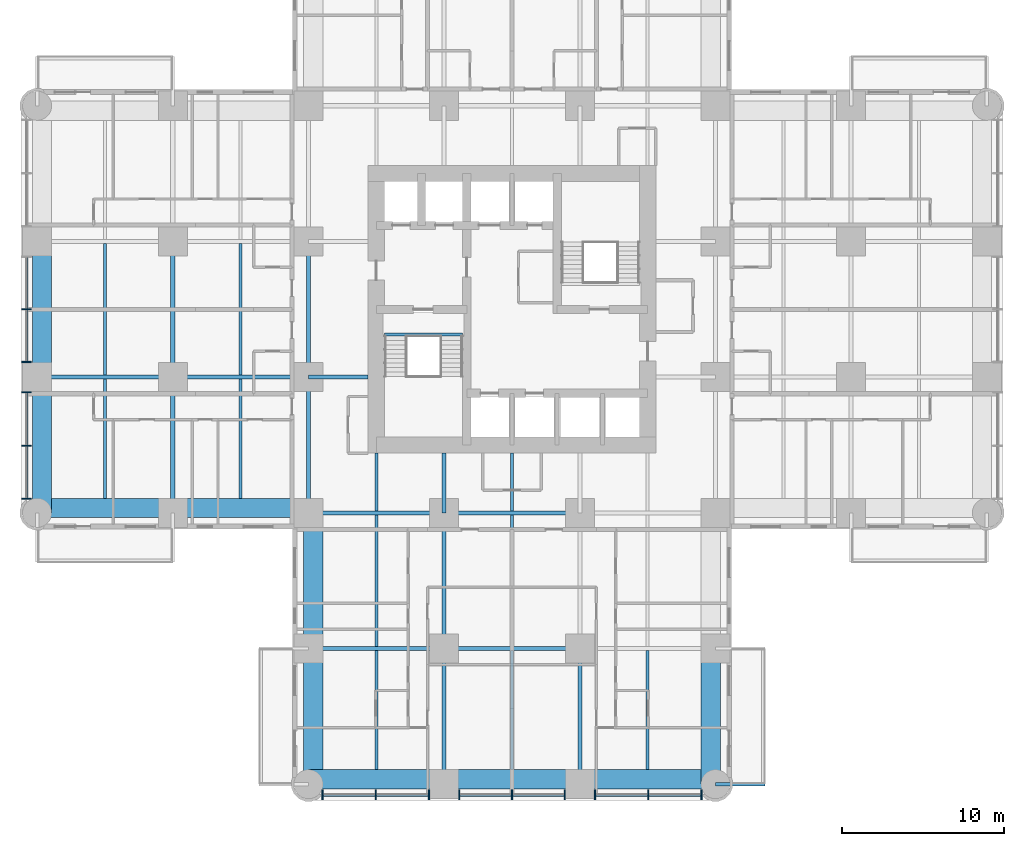
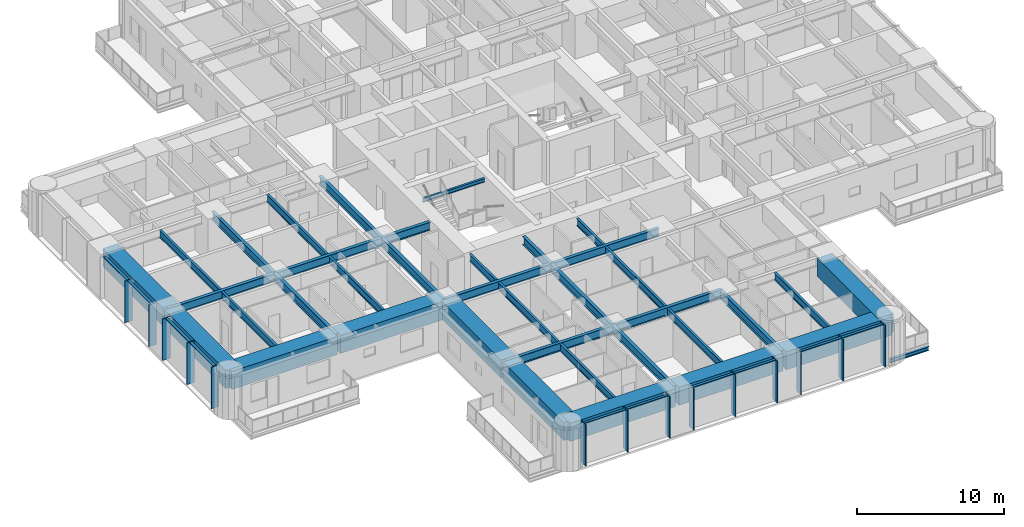
# One storey, part 2 of 17: 38 beams, 24 members, 2 elements without a shape of their own.
"""IFC4 building model written with IfcOpenShell, lengths in metres."""

from ifc_helpers import new_model, si_unit, direction, frame, origin, origin_2d, place, context, subcontext, project, spatial, rectangle, i_section, extrude, material, material_profile, profile_set, type_object, element, aggregate, save


model = new_model("IFC4")

# Units and contexts
model_context = context("Model", 3, precision=1e-05, world=origin(), true_north=direction((0.0, 1.0)))
body_context = subcontext(model_context, "Body", "Model", "MODEL_VIEW")
ifc_project = project(units=[si_unit("LENGTHUNIT", "METRE"), si_unit("AREAUNIT", "SQUARE_METRE"), si_unit("VOLUMEUNIT", "CUBIC_METRE"), si_unit("PLANEANGLEUNIT", "RADIAN"), si_unit("MASSUNIT", "GRAM", prefix="KILO")], contexts=[model_context])

# Site, building, storey
site_placement = place(None, origin())
site = spatial("IfcSite", under=ifc_project, at=site_placement, CompositionType="ELEMENT")
building_placement = place(site_placement, origin())
building = spatial("IfcBuilding", under=site, at=building_placement, Name="Torre Alcanfor", CompositionType="ELEMENT")
storey_placement = place(building_placement, frame((0.0, 0.0, 84.89990234375)))
storey = spatial("IfcBuildingStorey", under=building, at=storey_placement, Name="L21", CompositionType="ELEMENT", Elevation=84.89990234375)

# Beam
ifc_material_1 = material(Name="Steel ASTM A992 Grade 50", Category="steel")
ifc_material_profile_1 = material_profile(ifc_material_1, i_section(OverallWidth=0.205322265625, OverallDepth=0.309814453125, WebThickness=0.00927734375, FlangeThickness=0.016357421875, at=origin_2d()), Name="W12x50")
ifc_profile_set_1 = profile_set([ifc_material_profile_1], Name="Steel ASTM A992 Grade 50")
beam_type_1 = type_object("IfcBeamType", Name="Balcony cantilever beam W12x50", PredefinedType="BEAM", material=ifc_profile_set_1)
beam_1_placement = place(storey_placement, frame((42.0, 0.0, -0.354736328125), z_axis=(1.0, 0.0, 0.0), x_axis=(0.0, 1.0, 0.0)))
element("IfcBeam", 1, at=beam_1_placement, inside=storey, type_object=beam_type_1, Name="Balcony cantilever beam L21-S1 2", PredefinedType="BEAM", context=body_context, shape_type="SweptSolid", body=[
    extrude(i_section(OverallWidth=0.205322265625, OverallDepth=0.309814453125, WebThickness=0.00927734375, FlangeThickness=0.016357421875, at=origin_2d()), origin(), (0.0, 0.0, 1.0), 3.050048828125),
])

# Curtain wall, members
ifc_material_2 = material(Name="Aluminium and glass", Category="aluminium")
curtain_wall_type = type_object("IfcCurtainWallType", Name="CW-A unitised apartment glazing with vertical FIN", PredefinedType="NOTDEFINED", material=ifc_material_2)
curtain_wall_1_placement = place(storey_placement, origin())
curtain_wall_1 = element("IfcCurtainWall", 2, at=curtain_wall_1_placement, inside=storey, type_object=curtain_wall_type, Name="Curtain wall CW-A L21 2", PredefinedType="NOTDEFINED")
ifc_material_3 = material(Name="Bronze anodised aluminium", Category="aluminium")
ifc_material_profile_2 = material_profile(ifc_material_3, rectangle(XDim=0.60009765625, YDim=0.06494140625, at=origin_2d()), Name="CW-A mullion 65x600")
ifc_profile_set_2 = profile_set([ifc_material_profile_2], Name="Bronze anodised aluminium")
member_type_1 = type_object("IfcMemberType", Name="CW-A mullion with vertical FIN 65x600", PredefinedType="MULLION", material=ifc_profile_set_2)
member_1_placement = place(storey_placement, frame((-0.64990234375, 29.39990234375, 0.0), z_axis=(0.0, 0.0, 1.0), x_axis=(1.0, 0.0, 0.0)))
member_1 = element("IfcMember", 3, at=member_1_placement, type_object=member_type_1, Name="CW-A mullion 2.2", PredefinedType="MULLION", context=body_context, shape_type="SweptSolid", body=[
    extrude(rectangle(XDim=0.60009765625, YDim=0.06494140625, at=origin_2d()), origin(), (0.0, 0.0, 1.0), 3.4501953125),
])
member_2_placement = place(storey_placement, frame((-0.64990234375, 26.137451171875, 0.0), z_axis=(0.0, 0.0, 1.0), x_axis=(1.0, 0.0, 0.0)))
member_2 = element("IfcMember", 4, at=member_2_placement, type_object=member_type_1, Name="CW-A mullion 2.3", PredefinedType="MULLION", context=body_context, shape_type="SweptSolid", body=[
    extrude(rectangle(XDim=0.60009765625, YDim=0.06494140625, at=origin_2d()), origin(), (0.0, 0.0, 1.0), 3.4501953125),
])
member_3_placement = place(storey_placement, frame((-0.64990234375, 24.262451171875, 0.0), z_axis=(0.0, 0.0, 1.0), x_axis=(1.0, 0.0, 0.0)))
member_3 = element("IfcMember", 5, at=member_3_placement, type_object=member_type_1, Name="CW-A mullion 3.1", PredefinedType="MULLION", context=body_context, shape_type="SweptSolid", body=[
    extrude(rectangle(XDim=0.60009765625, YDim=0.06494140625, at=origin_2d()), origin(), (0.0, 0.0, 1.0), 3.4501953125),
])
member_4_placement = place(storey_placement, frame((-0.64990234375, 20.96484375, 0.0), z_axis=(0.0, 0.0, 1.0), x_axis=(1.0, 0.0, 0.0)))
member_4 = element("IfcMember", 6, at=member_4_placement, type_object=member_type_1, Name="CW-A mullion 3.2", PredefinedType="MULLION", context=body_context, shape_type="SweptSolid", body=[
    extrude(rectangle(XDim=0.60009765625, YDim=0.06494140625, at=origin_2d()), origin(), (0.0, 0.0, 1.0), 3.4501953125),
])
member_5_placement = place(storey_placement, frame((-0.64990234375, 17.6669921875, 0.0), z_axis=(0.0, 0.0, 1.0), x_axis=(1.0, 0.0, 0.0)))
member_5 = element("IfcMember", 7, at=member_5_placement, type_object=member_type_1, Name="CW-A mullion 3.3", PredefinedType="MULLION", context=body_context, shape_type="SweptSolid", body=[
    extrude(rectangle(XDim=0.60009765625, YDim=0.06494140625, at=origin_2d()), origin(), (0.0, 0.0, 1.0), 3.4501953125),
])

curtain_wall_2_placement = place(storey_placement, origin())
curtain_wall_2 = element("IfcCurtainWall", 8, at=curtain_wall_2_placement, inside=storey, type_object=curtain_wall_type, Name="Curtain wall CW-A L21 5", PredefinedType="NOTDEFINED")
member_6_placement = place(storey_placement, frame((17.6669921875, -0.64990234375, 0.0), z_axis=(0.0, 0.0, 1.0), x_axis=(0.0, 1.0, 0.0)))
member_6 = element("IfcMember", 9, at=member_6_placement, type_object=member_type_1, Name="CW-A mullion 1.1", PredefinedType="MULLION", context=body_context, shape_type="SweptSolid", body=[
    extrude(rectangle(XDim=0.60009765625, YDim=0.06494140625, at=origin_2d()), origin(), (0.0, 0.0, 1.0), 3.4501953125),
])
member_7_placement = place(storey_placement, frame((20.96484375, -0.64990234375, 0.0), z_axis=(0.0, 0.0, 1.0), x_axis=(0.0, 1.0, 0.0)))
member_7 = element("IfcMember", 10, at=member_7_placement, type_object=member_type_1, Name="CW-A mullion 1.2", PredefinedType="MULLION", context=body_context, shape_type="SweptSolid", body=[
    extrude(rectangle(XDim=0.60009765625, YDim=0.06494140625, at=origin_2d()), origin(), (0.0, 0.0, 1.0), 3.4501953125),
])
member_8_placement = place(storey_placement, frame((24.262451171875, -0.64990234375, 0.0), z_axis=(0.0, 0.0, 1.0), x_axis=(0.0, 1.0, 0.0)))
member_8 = element("IfcMember", 11, at=member_8_placement, type_object=member_type_1, Name="CW-A mullion 1.3", PredefinedType="MULLION", context=body_context, shape_type="SweptSolid", body=[
    extrude(rectangle(XDim=0.60009765625, YDim=0.06494140625, at=origin_2d()), origin(), (0.0, 0.0, 1.0), 3.4501953125),
])
member_9_placement = place(storey_placement, frame((26.137451171875, -0.64990234375, 0.0), z_axis=(0.0, 0.0, 1.0), x_axis=(0.0, 1.0, 0.0)))
member_9 = element("IfcMember", 12, at=member_9_placement, type_object=member_type_1, Name="CW-A mullion 2.1", PredefinedType="MULLION", context=body_context, shape_type="SweptSolid", body=[
    extrude(rectangle(XDim=0.60009765625, YDim=0.06494140625, at=origin_2d()), origin(), (0.0, 0.0, 1.0), 3.4501953125),
])
member_10_placement = place(storey_placement, frame((29.39990234375, -0.64990234375, 0.0), z_axis=(0.0, 0.0, 1.0), x_axis=(0.0, 1.0, 0.0)))
member_10 = element("IfcMember", 13, at=member_10_placement, type_object=member_type_1, Name="CW-A mullion 2.2", PredefinedType="MULLION", context=body_context, shape_type="SweptSolid", body=[
    extrude(rectangle(XDim=0.60009765625, YDim=0.06494140625, at=origin_2d()), origin(), (0.0, 0.0, 1.0), 3.4501953125),
])
member_11_placement = place(storey_placement, frame((32.66259765625, -0.64990234375, 0.0), z_axis=(0.0, 0.0, 1.0), x_axis=(0.0, 1.0, 0.0)))
member_11 = element("IfcMember", 14, at=member_11_placement, type_object=member_type_1, Name="CW-A mullion 2.3", PredefinedType="MULLION", context=body_context, shape_type="SweptSolid", body=[
    extrude(rectangle(XDim=0.60009765625, YDim=0.06494140625, at=origin_2d()), origin(), (0.0, 0.0, 1.0), 3.4501953125),
])
member_12_placement = place(storey_placement, frame((34.53759765625, -0.64990234375, 0.0), z_axis=(0.0, 0.0, 1.0), x_axis=(0.0, 1.0, 0.0)))
member_12 = element("IfcMember", 15, at=member_12_placement, type_object=member_type_1, Name="CW-A mullion 3.1", PredefinedType="MULLION", context=body_context, shape_type="SweptSolid", body=[
    extrude(rectangle(XDim=0.60009765625, YDim=0.06494140625, at=origin_2d()), origin(), (0.0, 0.0, 1.0), 3.4501953125),
])
member_13_placement = place(storey_placement, frame((37.835205078125, -0.64990234375, 0.0), z_axis=(0.0, 0.0, 1.0), x_axis=(0.0, 1.0, 0.0)))
member_13 = element("IfcMember", 16, at=member_13_placement, type_object=member_type_1, Name="CW-A mullion 3.2", PredefinedType="MULLION", context=body_context, shape_type="SweptSolid", body=[
    extrude(rectangle(XDim=0.60009765625, YDim=0.06494140625, at=origin_2d()), origin(), (0.0, 0.0, 1.0), 3.4501953125),
])
member_14_placement = place(storey_placement, frame((41.133056640625, -0.64990234375, 0.0), z_axis=(0.0, 0.0, 1.0), x_axis=(0.0, 1.0, 0.0)))
member_14 = element("IfcMember", 17, at=member_14_placement, type_object=member_type_1, Name="CW-A mullion 3.3", PredefinedType="MULLION", context=body_context, shape_type="SweptSolid", body=[
    extrude(rectangle(XDim=0.60009765625, YDim=0.06494140625, at=origin_2d()), origin(), (0.0, 0.0, 1.0), 3.4501953125),
])

# Member
ifc_material_4 = material(Name="Extruded aluminium", Category="aluminium")
ifc_material_profile_3 = material_profile(ifc_material_4, rectangle(XDim=0.199951171875, YDim=0.06494140625, at=origin_2d()), Name="CW-A transom 200x65")
ifc_profile_set_3 = profile_set([ifc_material_profile_3], Name="Extruded aluminium")
member_type_2 = type_object("IfcMemberType", Name="CW-A transom 65x200", PredefinedType="USERDEFINED", material=ifc_profile_set_3)
member_15_placement = place(storey_placement, frame((-0.64990234375, 32.6298828125, 3.41748046875), z_axis=(0.0, -1.0, 0.0), x_axis=(1.0, 0.0, 0.0)))
member_15 = element("IfcMember", 18, at=member_15_placement, type_object=member_type_2, Name="CW-A transom 2.1.2", ObjectType="TRANSOM", PredefinedType="USERDEFINED", context=body_context, shape_type="SweptSolid", body=[
    extrude(rectangle(XDim=0.199951171875, YDim=0.06494140625, at=origin_2d()), origin(), (0.0, 0.0, 1.0), 3.197265625),
])

member_16_placement = place(storey_placement, frame((-0.64990234375, 29.367431640625, 3.41748046875), z_axis=(0.0, -1.0, 0.0), x_axis=(1.0, 0.0, 0.0)))
member_16 = element("IfcMember", 19, at=member_16_placement, type_object=member_type_2, Name="CW-A transom 2.2.2", ObjectType="TRANSOM", PredefinedType="USERDEFINED", context=body_context, shape_type="SweptSolid", body=[
    extrude(rectangle(XDim=0.199951171875, YDim=0.06494140625, at=origin_2d()), origin(), (0.0, 0.0, 1.0), 3.197509765625),
])

member_17_placement = place(storey_placement, frame((-0.64990234375, 24.22998046875, 3.41748046875), z_axis=(0.0, -1.0, 0.0), x_axis=(1.0, 0.0, 0.0)))
member_17 = element("IfcMember", 20, at=member_17_placement, type_object=member_type_2, Name="CW-A transom 3.1.2", ObjectType="TRANSOM", PredefinedType="USERDEFINED", context=body_context, shape_type="SweptSolid", body=[
    extrude(rectangle(XDim=0.199951171875, YDim=0.06494140625, at=origin_2d()), origin(), (0.0, 0.0, 1.0), 3.232666015625),
])

member_18_placement = place(storey_placement, frame((-0.64990234375, 20.93212890625, 3.41748046875), z_axis=(0.0, -1.0, 0.0), x_axis=(1.0, 0.0, 0.0)))
member_18 = element("IfcMember", 21, at=member_18_placement, type_object=member_type_2, Name="CW-A transom 3.2.2", ObjectType="TRANSOM", PredefinedType="USERDEFINED", context=body_context, shape_type="SweptSolid", body=[
    extrude(rectangle(XDim=0.199951171875, YDim=0.06494140625, at=origin_2d()), origin(), (0.0, 0.0, 1.0), 3.232666015625),
])

aggregate(curtain_wall_1, [member_1, member_2, member_15, member_16, member_3, member_4, member_5, member_17, member_18])

member_19_placement = place(storey_placement, frame((17.699462890625, -0.64990234375, 3.41748046875), z_axis=(1.0, 0.0, 0.0), x_axis=(0.0, 1.0, 0.0)))
member_19 = element("IfcMember", 22, at=member_19_placement, type_object=member_type_2, Name="CW-A transom 1.1.2", ObjectType="TRANSOM", PredefinedType="USERDEFINED", context=body_context, shape_type="SweptSolid", body=[
    extrude(rectangle(XDim=0.199951171875, YDim=0.06494140625, at=origin_2d()), origin(), (0.0, 0.0, 1.0), 3.232666015625),
])

member_20_placement = place(storey_placement, frame((20.997314453125, -0.64990234375, 3.41748046875), z_axis=(1.0, 0.0, 0.0), x_axis=(0.0, 1.0, 0.0)))
member_20 = element("IfcMember", 23, at=member_20_placement, type_object=member_type_2, Name="CW-A transom 1.2.2", ObjectType="TRANSOM", PredefinedType="USERDEFINED", context=body_context, shape_type="SweptSolid", body=[
    extrude(rectangle(XDim=0.199951171875, YDim=0.06494140625, at=origin_2d()), origin(), (0.0, 0.0, 1.0), 3.232666015625),
])

member_21_placement = place(storey_placement, frame((26.169921875, -0.64990234375, 3.41748046875), z_axis=(1.0, 0.0, 0.0), x_axis=(0.0, 1.0, 0.0)))
member_21 = element("IfcMember", 24, at=member_21_placement, type_object=member_type_2, Name="CW-A transom 2.1.2", ObjectType="TRANSOM", PredefinedType="USERDEFINED", context=body_context, shape_type="SweptSolid", body=[
    extrude(rectangle(XDim=0.199951171875, YDim=0.06494140625, at=origin_2d()), origin(), (0.0, 0.0, 1.0), 3.197509765625),
])

member_22_placement = place(storey_placement, frame((29.4326171875, -0.64990234375, 3.41748046875), z_axis=(1.0, 0.0, 0.0), x_axis=(0.0, 1.0, 0.0)))
member_22 = element("IfcMember", 25, at=member_22_placement, type_object=member_type_2, Name="CW-A transom 2.2.2", ObjectType="TRANSOM", PredefinedType="USERDEFINED", context=body_context, shape_type="SweptSolid", body=[
    extrude(rectangle(XDim=0.199951171875, YDim=0.06494140625, at=origin_2d()), origin(), (0.0, 0.0, 1.0), 3.197265625),
])

member_23_placement = place(storey_placement, frame((34.570068359375, -0.64990234375, 3.41748046875), z_axis=(1.0, 0.0, 0.0), x_axis=(0.0, 1.0, 0.0)))
member_23 = element("IfcMember", 26, at=member_23_placement, type_object=member_type_2, Name="CW-A transom 3.1.2", ObjectType="TRANSOM", PredefinedType="USERDEFINED", context=body_context, shape_type="SweptSolid", body=[
    extrude(rectangle(XDim=0.199951171875, YDim=0.06494140625, at=origin_2d()), origin(), (0.0, 0.0, 1.0), 3.232666015625),
])

member_24_placement = place(storey_placement, frame((37.86767578125, -0.64990234375, 3.41748046875), z_axis=(1.0, 0.0, 0.0), x_axis=(0.0, 1.0, 0.0)))
member_24 = element("IfcMember", 27, at=member_24_placement, type_object=member_type_2, Name="CW-A transom 3.2.2", ObjectType="TRANSOM", PredefinedType="USERDEFINED", context=body_context, shape_type="SweptSolid", body=[
    extrude(rectangle(XDim=0.199951171875, YDim=0.06494140625, at=origin_2d()), origin(), (0.0, 0.0, 1.0), 3.23291015625),
])

aggregate(curtain_wall_2, [member_6, member_7, member_8, member_19, member_20, member_9, member_10, member_11, member_21, member_22, member_12, member_13, member_14, member_23, member_24])

# Beams
ifc_material_5 = material(Name="Steel ASTM A992 Grade 50", Category="steel")
ifc_material_profile_4 = material_profile(ifc_material_5, i_section(OverallWidth=0.25390625, OverallDepth=0.683349609375, WebThickness=0.012451171875, FlangeThickness=0.01904296875, at=origin_2d()), Name="W27x94")
ifc_profile_set_4 = profile_set([ifc_material_profile_4], Name="Steel ASTM A992 Grade 50")
beam_type_2 = type_object("IfcBeamType", Name="Girder W27x94", PredefinedType="BEAM", material=ifc_profile_set_4)
beam_2_placement = place(storey_placement, frame((16.800048828125, 8.39990234375, 3.1083984375), z_axis=(1.0, 0.0, 0.0), x_axis=(0.0, 1.0, 0.0)))
element("IfcBeam", 28, at=beam_2_placement, inside=storey, type_object=beam_type_2, Name="Beam 3D-4D under L22", PredefinedType="BEAM", context=body_context, shape_type="SweptSolid", body=[
    extrude(i_section(OverallWidth=0.25390625, OverallDepth=0.683349609375, WebThickness=0.012451171875, FlangeThickness=0.01904296875, at=origin_2d()), origin(), (0.0, 0.0, 1.0), 8.39990234375),
])
beam_3_placement = place(storey_placement, frame((25.199951171875, 8.39990234375, 3.1083984375), z_axis=(1.0, 0.0, 0.0), x_axis=(0.0, 1.0, 0.0)))
element("IfcBeam", 29, at=beam_3_placement, inside=storey, type_object=beam_type_2, Name="Beam 4D-5D under L22", PredefinedType="BEAM", context=body_context, shape_type="SweptSolid", body=[
    extrude(i_section(OverallWidth=0.25390625, OverallDepth=0.683349609375, WebThickness=0.012451171875, FlangeThickness=0.01904296875, at=origin_2d()), origin(), (0.0, 0.0, 1.0), 8.400146484375),
])
beam_4_placement = place(storey_placement, frame((16.800048828125, 16.800048828125, 3.1083984375), z_axis=(1.0, 0.0, 0.0), x_axis=(0.0, 1.0, 0.0)))
element("IfcBeam", 30, at=beam_4_placement, inside=storey, type_object=beam_type_2, Name="Beam 3E-4E under L22", PredefinedType="BEAM", context=body_context, shape_type="SweptSolid", body=[
    extrude(i_section(OverallWidth=0.25390625, OverallDepth=0.683349609375, WebThickness=0.012451171875, FlangeThickness=0.01904296875, at=origin_2d()), origin(), (0.0, 0.0, 1.0), 8.39990234375),
])
beam_5_placement = place(storey_placement, frame((25.199951171875, 16.800048828125, 3.1083984375), z_axis=(1.0, 0.0, 0.0), x_axis=(0.0, 1.0, 0.0)))
element("IfcBeam", 31, at=beam_5_placement, inside=storey, type_object=beam_type_2, Name="Beam 4E-5E under L22", PredefinedType="BEAM", context=body_context, shape_type="SweptSolid", body=[
    extrude(i_section(OverallWidth=0.25390625, OverallDepth=0.683349609375, WebThickness=0.012451171875, FlangeThickness=0.01904296875, at=origin_2d()), origin(), (0.0, 0.0, 1.0), 8.400146484375),
])
beam_6_placement = place(storey_placement, frame((0.0, 25.199951171875, 3.1083984375), z_axis=(1.0, 0.0, 0.0), x_axis=(0.0, 1.0, 0.0)))
element("IfcBeam", 32, at=beam_6_placement, inside=storey, type_object=beam_type_2, Name="Beam 1F-2F under L22", PredefinedType="BEAM", context=body_context, shape_type="SweptSolid", body=[
    extrude(i_section(OverallWidth=0.25390625, OverallDepth=0.683349609375, WebThickness=0.012451171875, FlangeThickness=0.01904296875, at=origin_2d()), origin(), (0.0, 0.0, 1.0), 8.39990234375),
])
beam_7_placement = place(storey_placement, frame((8.39990234375, 25.199951171875, 3.1083984375), z_axis=(1.0, 0.0, 0.0), x_axis=(0.0, 1.0, 0.0)))
element("IfcBeam", 33, at=beam_7_placement, inside=storey, type_object=beam_type_2, Name="Beam 2F-3F under L22", PredefinedType="BEAM", context=body_context, shape_type="SweptSolid", body=[
    extrude(i_section(OverallWidth=0.25390625, OverallDepth=0.683349609375, WebThickness=0.012451171875, FlangeThickness=0.01904296875, at=origin_2d()), origin(), (0.0, 0.0, 1.0), 8.400146484375),
])
beam_8_placement = place(storey_placement, frame((8.39990234375, 16.800048828125, 3.1083984375), z_axis=(0.0, 1.0, 0.0), x_axis=(-1.0, 0.0, 0.0)))
element("IfcBeam", 34, at=beam_8_placement, inside=storey, type_object=beam_type_2, Name="Beam 2E-2F under L22", PredefinedType="BEAM", context=body_context, shape_type="SweptSolid", body=[
    extrude(i_section(OverallWidth=0.25390625, OverallDepth=0.683349609375, WebThickness=0.012451171875, FlangeThickness=0.01904296875, at=origin_2d()), origin(), (0.0, 0.0, 1.0), 8.39990234375),
])
beam_9_placement = place(storey_placement, frame((8.39990234375, 25.199951171875, 3.1083984375), z_axis=(0.0, 1.0, 0.0), x_axis=(-1.0, 0.0, 0.0)))
element("IfcBeam", 35, at=beam_9_placement, inside=storey, type_object=beam_type_2, Name="Beam 2F-2G under L22", PredefinedType="BEAM", context=body_context, shape_type="SweptSolid", body=[
    extrude(i_section(OverallWidth=0.25390625, OverallDepth=0.683349609375, WebThickness=0.012451171875, FlangeThickness=0.01904296875, at=origin_2d()), origin(), (0.0, 0.0, 1.0), 8.400146484375),
])
beam_10_placement = place(storey_placement, frame((16.800048828125, 16.800048828125, 3.1083984375), z_axis=(0.0, 1.0, 0.0), x_axis=(-1.0, 0.0, 0.0)))
element("IfcBeam", 36, at=beam_10_placement, inside=storey, type_object=beam_type_2, Name="Beam 3E-3F under L22", PredefinedType="BEAM", context=body_context, shape_type="SweptSolid", body=[
    extrude(i_section(OverallWidth=0.25390625, OverallDepth=0.683349609375, WebThickness=0.012451171875, FlangeThickness=0.01904296875, at=origin_2d()), origin(), (0.0, 0.0, 1.0), 8.39990234375),
])
beam_11_placement = place(storey_placement, frame((16.800048828125, 25.199951171875, 3.1083984375), z_axis=(0.0, 1.0, 0.0), x_axis=(-1.0, 0.0, 0.0)))
element("IfcBeam", 37, at=beam_11_placement, inside=storey, type_object=beam_type_2, Name="Beam 3F-3G under L22", PredefinedType="BEAM", context=body_context, shape_type="SweptSolid", body=[
    extrude(i_section(OverallWidth=0.25390625, OverallDepth=0.683349609375, WebThickness=0.012451171875, FlangeThickness=0.01904296875, at=origin_2d()), origin(), (0.0, 0.0, 1.0), 8.400146484375),
])
beam_12_placement = place(storey_placement, frame((25.199951171875, 0.0, 3.1083984375), z_axis=(0.0, 1.0, 0.0), x_axis=(-1.0, 0.0, 0.0)))
element("IfcBeam", 38, at=beam_12_placement, inside=storey, type_object=beam_type_2, Name="Beam 4C-4D under L22", PredefinedType="BEAM", context=body_context, shape_type="SweptSolid", body=[
    extrude(i_section(OverallWidth=0.25390625, OverallDepth=0.683349609375, WebThickness=0.012451171875, FlangeThickness=0.01904296875, at=origin_2d()), origin(), (0.0, 0.0, 1.0), 8.39990234375),
])
beam_13_placement = place(storey_placement, frame((25.199951171875, 8.39990234375, 3.1083984375), z_axis=(0.0, 1.0, 0.0), x_axis=(-1.0, 0.0, 0.0)))
element("IfcBeam", 39, at=beam_13_placement, inside=storey, type_object=beam_type_2, Name="Beam 4D-4E under L22", PredefinedType="BEAM", context=body_context, shape_type="SweptSolid", body=[
    extrude(i_section(OverallWidth=0.25390625, OverallDepth=0.683349609375, WebThickness=0.012451171875, FlangeThickness=0.01904296875, at=origin_2d()), origin(), (0.0, 0.0, 1.0), 8.400146484375),
])
beam_14_placement = place(storey_placement, frame((33.60009765625, 0.0, 3.1083984375), z_axis=(0.0, 1.0, 0.0), x_axis=(-1.0, 0.0, 0.0)))
element("IfcBeam", 40, at=beam_14_placement, inside=storey, type_object=beam_type_2, Name="Beam 5C-5D under L22", PredefinedType="BEAM", context=body_context, shape_type="SweptSolid", body=[
    extrude(i_section(OverallWidth=0.25390625, OverallDepth=0.683349609375, WebThickness=0.012451171875, FlangeThickness=0.01904296875, at=origin_2d()), origin(), (0.0, 0.0, 1.0), 8.39990234375),
])
ifc_material_6 = material(Name="Steel ASTM A992 Grade 50", Category="steel")
ifc_material_profile_5 = material_profile(ifc_material_6, i_section(OverallWidth=0.25390625, OverallDepth=0.683349609375, WebThickness=0.012451171875, FlangeThickness=0.01904296875, at=origin_2d()), Name="W27x94")
ifc_profile_set_5 = profile_set([ifc_material_profile_5], Name="Steel ASTM A992 Grade 50")
beam_type_3 = type_object("IfcBeamType", Name="Girder, part bay W27x94", PredefinedType="BEAM", material=ifc_profile_set_5)
for number, where, z_axis, x_axis, name in (
    (41, (25.199951171875, 16.800048828125, 3.1083984375), (0.0, 1.0, 0.0), (-1.0, 0.0, 0.0), "Beam 4E-420_5 under L22"),
    (42, (16.800048828125, 25.199951171875, 3.1083984375), (1.0, 0.0, 0.0), (0.0, 1.0, 0.0), "Beam 3F-20_5F under L22"),
):
    element("IfcBeam", number, at=place(storey_placement, frame(where, z_axis=z_axis, x_axis=x_axis)), inside=storey, type_object=beam_type_3, Name=name, PredefinedType="BEAM", context=body_context, shape_type="SweptSolid", body=[
        extrude(i_section(OverallWidth=0.25390625, OverallDepth=0.683349609375, WebThickness=0.012451171875, FlangeThickness=0.01904296875, at=origin_2d()), origin(), (0.0, 0.0, 1.0), 3.699951171875),
    ])
ifc_material_7 = material(Name="Concrete f'c 70 MPa", Category="concrete")
ifc_material_profile_6 = material_profile(ifc_material_7, rectangle(XDim=1.199951171875, YDim=1.5, at=origin_2d()), Name="1200x1500")
ifc_profile_set_6 = profile_set([ifc_material_profile_6], Name="Concrete f'c 70 MPa")
beam_type_4 = type_object("IfcBeamType", Name="RC perimeter beam 1200x1500", PredefinedType="BEAM", material=ifc_profile_set_6)
beam_15_placement = place(storey_placement, frame((16.800048828125, 0.300048828125, 2.7001953125), z_axis=(1.0, 0.0, 0.0), x_axis=(0.0, 1.0, 0.0)))
element("IfcBeam", 43, at=beam_15_placement, inside=storey, type_object=beam_type_4, Name="Beam 3C-4C under L22", PredefinedType="BEAM", context=body_context, shape_type="SweptSolid", body=[
    extrude(rectangle(XDim=1.199951171875, YDim=1.5, at=origin_2d()), origin(), (0.0, 0.0, 1.0), 8.27294921875),
])
beam_16_placement = place(storey_placement, frame((25.326904296875, 0.300048828125, 2.7001953125), z_axis=(1.0, 0.0, 0.0), x_axis=(0.0, 1.0, 0.0)))
element("IfcBeam", 44, at=beam_16_placement, inside=storey, type_object=beam_type_4, Name="Beam 4C-5C under L22", PredefinedType="BEAM", context=body_context, shape_type="SweptSolid", body=[
    extrude(rectangle(XDim=1.199951171875, YDim=1.5, at=origin_2d()), origin(), (0.0, 0.0, 1.0), 8.14599609375),
])
for number, where, z_axis, x_axis, name in (
    (45, (33.72705078125, 0.300048828125, 2.7001953125), (1.0, 0.0, 0.0), (0.0, 1.0, 0.0), "Beam 5C-6C under L22"),
    (46, (0.0, 17.10009765625, 2.7001953125), (1.0, 0.0, 0.0), (0.0, 1.0, 0.0), "Beam 1E-2E under L22"),
):
    element("IfcBeam", number, at=place(storey_placement, frame(where, z_axis=z_axis, x_axis=x_axis)), inside=storey, type_object=beam_type_4, Name=name, PredefinedType="BEAM", context=body_context, shape_type="SweptSolid", body=[
        extrude(rectangle(XDim=1.199951171875, YDim=1.5, at=origin_2d()), origin(), (0.0, 0.0, 1.0), 8.27294921875),
    ])
beam_17_placement = place(storey_placement, frame((8.527099609375, 17.10009765625, 2.7001953125), z_axis=(1.0, 0.0, 0.0), x_axis=(0.0, 1.0, 0.0)))
element("IfcBeam", 47, at=beam_17_placement, inside=storey, type_object=beam_type_4, Name="Beam 2E-3E under L22", PredefinedType="BEAM", context=body_context, shape_type="SweptSolid", body=[
    extrude(rectangle(XDim=1.199951171875, YDim=1.5, at=origin_2d()), origin(), (0.0, 0.0, 1.0), 8.14599609375),
])
beam_18_placement = place(storey_placement, frame((0.300048828125, 16.800048828125, 2.7001953125), z_axis=(0.0, 1.0, 0.0), x_axis=(-1.0, 0.0, 0.0)))
element("IfcBeam", 48, at=beam_18_placement, inside=storey, type_object=beam_type_4, Name="Beam 1E-1F under L22", PredefinedType="BEAM", context=body_context, shape_type="SweptSolid", body=[
    extrude(rectangle(XDim=1.199951171875, YDim=1.5, at=origin_2d()), origin(), (0.0, 0.0, 1.0), 8.27294921875),
])
beam_19_placement = place(storey_placement, frame((0.300048828125, 25.326904296875, 2.7001953125), z_axis=(0.0, 1.0, 0.0), x_axis=(-1.0, 0.0, 0.0)))
element("IfcBeam", 49, at=beam_19_placement, inside=storey, type_object=beam_type_4, Name="Beam 1F-1G under L22", PredefinedType="BEAM", context=body_context, shape_type="SweptSolid", body=[
    extrude(rectangle(XDim=1.199951171875, YDim=1.5, at=origin_2d()), origin(), (0.0, 0.0, 1.0), 8.14599609375),
])
beam_20_placement = place(storey_placement, frame((17.10009765625, 0.0, 2.7001953125), z_axis=(0.0, 1.0, 0.0), x_axis=(-1.0, 0.0, 0.0)))
element("IfcBeam", 50, at=beam_20_placement, inside=storey, type_object=beam_type_4, Name="Beam 3C-3D under L22", PredefinedType="BEAM", context=body_context, shape_type="SweptSolid", body=[
    extrude(rectangle(XDim=1.199951171875, YDim=1.5, at=origin_2d()), origin(), (0.0, 0.0, 1.0), 8.27294921875),
])
beam_21_placement = place(storey_placement, frame((17.10009765625, 8.527099609375, 2.7001953125), z_axis=(0.0, 1.0, 0.0), x_axis=(-1.0, 0.0, 0.0)))
element("IfcBeam", 51, at=beam_21_placement, inside=storey, type_object=beam_type_4, Name="Beam 3D-3E under L22", PredefinedType="BEAM", context=body_context, shape_type="SweptSolid", body=[
    extrude(rectangle(XDim=1.199951171875, YDim=1.5, at=origin_2d()), origin(), (0.0, 0.0, 1.0), 8.14599609375),
])
beam_22_placement = place(storey_placement, frame((41.699951171875, 0.0, 2.7001953125), z_axis=(0.0, 1.0, 0.0), x_axis=(-1.0, 0.0, 0.0)))
element("IfcBeam", 52, at=beam_22_placement, inside=storey, type_object=beam_type_4, Name="Beam 6C-6D under L22", PredefinedType="BEAM", context=body_context, shape_type="SweptSolid", body=[
    extrude(rectangle(XDim=1.199951171875, YDim=1.5, at=origin_2d()), origin(), (0.0, 0.0, 1.0), 8.27294921875),
])
ifc_material_8 = material(Name="Steel ASTM A992 Grade 50", Category="steel")
ifc_material_profile_7 = material_profile(ifc_material_8, i_section(OverallWidth=0.1787109375, OverallDepth=0.60205078125, WebThickness=0.010986328125, FlangeThickness=0.014892578125, at=origin_2d()), Name="W24x62")
ifc_profile_set_7 = profile_set([ifc_material_profile_7], Name="Steel ASTM A992 Grade 50")
beam_type_5 = type_object("IfcBeamType", Name="Secondary beam W24x62", PredefinedType="BEAM", material=ifc_profile_set_7)
beam_23_placement = place(storey_placement, frame((4.199951171875, 17.699951171875, 3.149169921875), z_axis=(0.0, 1.0, 0.0), x_axis=(-1.0, 0.0, 0.0)))
element("IfcBeam", 53, at=beam_23_placement, inside=storey, type_object=beam_type_5, Name="Beam 4_2E-4_2F under L22", PredefinedType="BEAM", context=body_context, shape_type="SweptSolid", body=[
    extrude(i_section(OverallWidth=0.1787109375, OverallDepth=0.60205078125, WebThickness=0.010986328125, FlangeThickness=0.014892578125, at=origin_2d()), origin(), (0.0, 0.0, 1.0), 7.373046875),
])
beam_24_placement = place(storey_placement, frame((4.199951171875, 25.326904296875, 3.149169921875), z_axis=(0.0, 1.0, 0.0), x_axis=(-1.0, 0.0, 0.0)))
element("IfcBeam", 54, at=beam_24_placement, inside=storey, type_object=beam_type_5, Name="Beam 4_2F-4_2G under L22", PredefinedType="BEAM", context=body_context, shape_type="SweptSolid", body=[
    extrude(i_section(OverallWidth=0.1787109375, OverallDepth=0.60205078125, WebThickness=0.010986328125, FlangeThickness=0.014892578125, at=origin_2d()), origin(), (0.0, 0.0, 1.0), 8.14599609375),
])
beam_25_placement = place(storey_placement, frame((12.60009765625, 17.699951171875, 3.149169921875), z_axis=(0.0, 1.0, 0.0), x_axis=(-1.0, 0.0, 0.0)))
element("IfcBeam", 55, at=beam_25_placement, inside=storey, type_object=beam_type_5, Name="Beam 12_6E-12_6F under L22", PredefinedType="BEAM", context=body_context, shape_type="SweptSolid", body=[
    extrude(i_section(OverallWidth=0.1787109375, OverallDepth=0.60205078125, WebThickness=0.010986328125, FlangeThickness=0.014892578125, at=origin_2d()), origin(), (0.0, 0.0, 1.0), 7.373046875),
])
beam_26_placement = place(storey_placement, frame((12.60009765625, 25.326904296875, 3.149169921875), z_axis=(0.0, 1.0, 0.0), x_axis=(-1.0, 0.0, 0.0)))
element("IfcBeam", 56, at=beam_26_placement, inside=storey, type_object=beam_type_5, Name="Beam 12_6F-12_6G under L22", PredefinedType="BEAM", context=body_context, shape_type="SweptSolid", body=[
    extrude(i_section(OverallWidth=0.1787109375, OverallDepth=0.60205078125, WebThickness=0.010986328125, FlangeThickness=0.014892578125, at=origin_2d()), origin(), (0.0, 0.0, 1.0), 8.14599609375),
])
beam_27_placement = place(storey_placement, frame((21.0, 0.89990234375, 3.149169921875), z_axis=(0.0, 1.0, 0.0), x_axis=(-1.0, 0.0, 0.0)))
element("IfcBeam", 57, at=beam_27_placement, inside=storey, type_object=beam_type_5, Name="Beam 21C-21D under L22", PredefinedType="BEAM", context=body_context, shape_type="SweptSolid", body=[
    extrude(i_section(OverallWidth=0.1787109375, OverallDepth=0.60205078125, WebThickness=0.010986328125, FlangeThickness=0.014892578125, at=origin_2d()), origin(), (0.0, 0.0, 1.0), 7.373046875),
])
beam_28_placement = place(storey_placement, frame((21.0, 8.527099609375, 3.149169921875), z_axis=(0.0, 1.0, 0.0), x_axis=(-1.0, 0.0, 0.0)))
element("IfcBeam", 58, at=beam_28_placement, inside=storey, type_object=beam_type_5, Name="Beam 21D-21E under L22", PredefinedType="BEAM", context=body_context, shape_type="SweptSolid", body=[
    extrude(i_section(OverallWidth=0.1787109375, OverallDepth=0.60205078125, WebThickness=0.010986328125, FlangeThickness=0.014892578125, at=origin_2d()), origin(), (0.0, 0.0, 1.0), 8.14599609375),
])
beam_29_placement = place(storey_placement, frame((29.39990234375, 0.89990234375, 3.149169921875), z_axis=(0.0, 1.0, 0.0), x_axis=(-1.0, 0.0, 0.0)))
element("IfcBeam", 59, at=beam_29_placement, inside=storey, type_object=beam_type_5, Name="Beam 29_4C-29_4D under L22", PredefinedType="BEAM", context=body_context, shape_type="SweptSolid", body=[
    extrude(i_section(OverallWidth=0.1787109375, OverallDepth=0.60205078125, WebThickness=0.010986328125, FlangeThickness=0.014892578125, at=origin_2d()), origin(), (0.0, 0.0, 1.0), 7.373046875),
])
beam_30_placement = place(storey_placement, frame((29.39990234375, 8.527099609375, 3.149169921875), z_axis=(0.0, 1.0, 0.0), x_axis=(-1.0, 0.0, 0.0)))
element("IfcBeam", 60, at=beam_30_placement, inside=storey, type_object=beam_type_5, Name="Beam 29_4D-29_4E under L22", PredefinedType="BEAM", context=body_context, shape_type="SweptSolid", body=[
    extrude(i_section(OverallWidth=0.1787109375, OverallDepth=0.60205078125, WebThickness=0.010986328125, FlangeThickness=0.014892578125, at=origin_2d()), origin(), (0.0, 0.0, 1.0), 8.14599609375),
])
beam_31_placement = place(storey_placement, frame((37.800048828125, 0.89990234375, 3.149169921875), z_axis=(0.0, 1.0, 0.0), x_axis=(-1.0, 0.0, 0.0)))
element("IfcBeam", 61, at=beam_31_placement, inside=storey, type_object=beam_type_5, Name="Beam 37_8C-37_8D under L22", PredefinedType="BEAM", context=body_context, shape_type="SweptSolid", body=[
    extrude(i_section(OverallWidth=0.1787109375, OverallDepth=0.60205078125, WebThickness=0.010986328125, FlangeThickness=0.014892578125, at=origin_2d()), origin(), (0.0, 0.0, 1.0), 7.373046875),
])
ifc_material_9 = material(Name="Steel ASTM A992 Grade 50", Category="steel")
ifc_material_profile_8 = material_profile(ifc_material_9, i_section(OverallWidth=0.1787109375, OverallDepth=0.60205078125, WebThickness=0.010986328125, FlangeThickness=0.014892578125, at=origin_2d()), Name="W24x62")
ifc_profile_set_8 = profile_set([ifc_material_profile_8], Name="Steel ASTM A992 Grade 50")
beam_type_6 = type_object("IfcBeamType", Name="Secondary beam, part bay W24x62", PredefinedType="BEAM", material=ifc_profile_set_8)
for number, where, z_axis, x_axis, name in (
    (62, (21.0, 16.927001953125, 3.149169921875), (0.0, 1.0, 0.0), (-1.0, 0.0, 0.0), "Beam 21E-2120_5 under L22"),
    (63, (29.39990234375, 16.927001953125, 3.149169921875), (0.0, 1.0, 0.0), (-1.0, 0.0, 0.0), "Beam 29_4E-29_420_5 under L22"),
):
    element("IfcBeam", number, at=place(storey_placement, frame(where, z_axis=z_axis, x_axis=x_axis)), inside=storey, type_object=beam_type_6, Name=name, PredefinedType="BEAM", context=body_context, shape_type="SweptSolid", body=[
        extrude(i_section(OverallWidth=0.1787109375, OverallDepth=0.60205078125, WebThickness=0.010986328125, FlangeThickness=0.014892578125, at=origin_2d()), origin(), (0.0, 0.0, 1.0), 3.572998046875),
    ])
ifc_material_10 = material(Name="Steel ASTM A992 Grade 50", Category="steel")
ifc_material_profile_9 = material_profile(ifc_material_10, i_section(OverallWidth=0.164794921875, OverallDepth=0.309814453125, WebThickness=0.005859375, FlangeThickness=0.009765625, at=origin_2d()), Name="W12x26")
ifc_profile_set_9 = profile_set([ifc_material_profile_9], Name="Steel ASTM A992 Grade 50")
beam_type_7 = type_object("IfcBeamType", Name="Stair landing beam W12x26", PredefinedType="BEAM", material=ifc_profile_set_9)
beam_32_placement = place(storey_placement, frame((21.5, 27.83740234375, 3.2451171875), z_axis=(1.0, 0.0, 0.0), x_axis=(0.0, 1.0, 0.0)))
element("IfcBeam", 64, at=beam_32_placement, inside=storey, type_object=beam_type_7, Name="Landing trimmer S1 L22", PredefinedType="BEAM", context=body_context, shape_type="SweptSolid", body=[
    extrude(i_section(OverallWidth=0.164794921875, OverallDepth=0.309814453125, WebThickness=0.005859375, FlangeThickness=0.009765625, at=origin_2d()), origin(), (0.0, 0.0, 1.0), 4.85009765625),
])

save(model, "model.ifc")
